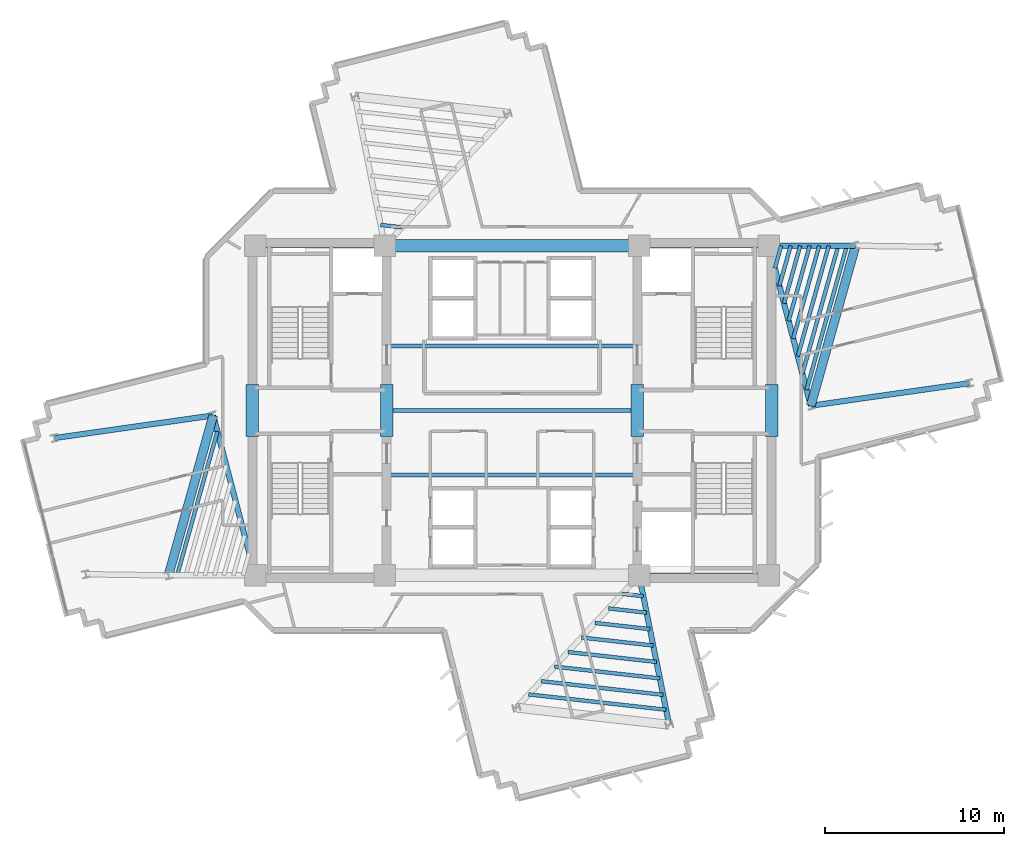
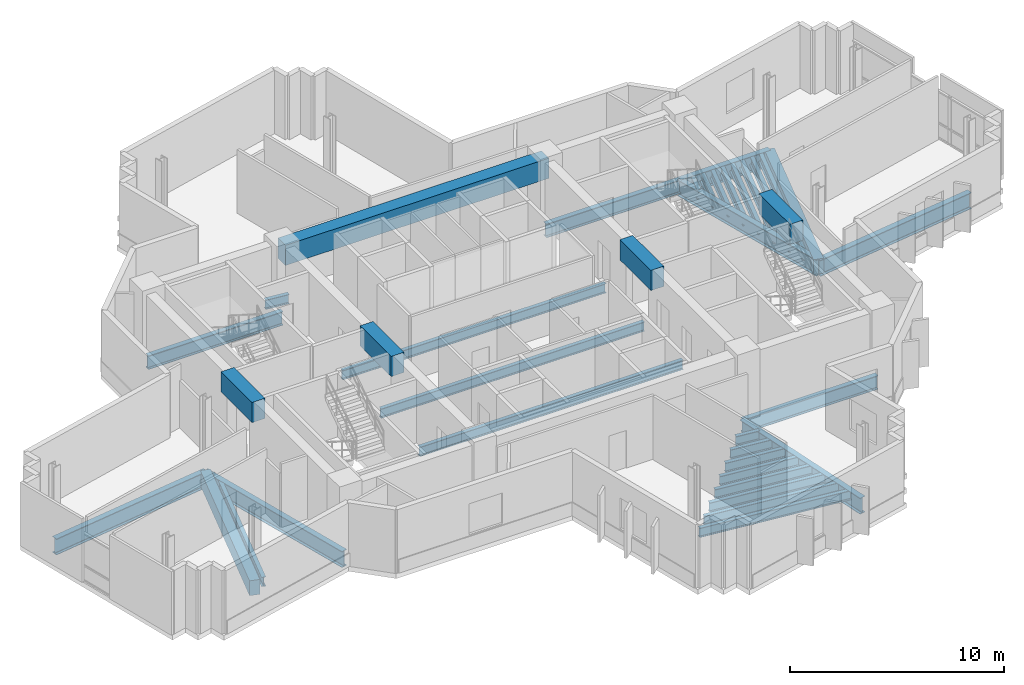
# One storey, part 3 of 13: 37 beams.
"""IFC4 building model written with IfcOpenShell, lengths in metres."""

from ifc_helpers import new_model, si_unit, direction, frame, origin, origin_2d, place, context, subcontext, project, spatial, rectangle, i_section, extrude, source, transform, mapped, material, material_profile, profile_set, type_object, element, save


model = new_model("IFC4")

# Units and contexts
model_context = context("Model", 3, precision=1e-05, world=origin(), true_north=direction((0.0, 1.0)))
body_context = subcontext(model_context, "Body", "Model", "MODEL_VIEW")
ifc_project = project(units=[si_unit("LENGTHUNIT", "METRE"), si_unit("AREAUNIT", "SQUARE_METRE"), si_unit("VOLUMEUNIT", "CUBIC_METRE"), si_unit("PLANEANGLEUNIT", "RADIAN"), si_unit("MASSUNIT", "GRAM", prefix="KILO")], contexts=[model_context])

# Site, building, storey
site_placement = place(None, origin())
site = spatial("IfcSite", under=ifc_project, at=site_placement, CompositionType="ELEMENT")
building_placement = place(site_placement, origin())
building = spatial("IfcBuilding", under=site, at=building_placement, Name="Zahravan Cultural Tower", CompositionType="ELEMENT")
storey_placement = place(building_placement, frame((0.0, 0.0, 186.300048828125)))
storey = spatial("IfcBuildingStorey", under=building, at=storey_placement, Name="L43", CompositionType="ELEMENT", Elevation=186.300048828125)

# Beams
ifc_material_1 = material(Name="Concrete C50/60", Category="concrete")
ifc_material_profile_1 = material_profile(ifc_material_1, rectangle(XDim=0.699951171875, YDim=1.14990234375, at=origin_2d()), Name="RC700X1150")
ifc_profile_set_1 = profile_set([ifc_material_profile_1], Name="Concrete C50/60")
beam_type_1 = type_object("IfcBeamType", Name="BM-LN-RC700X1150", PredefinedType="LINTEL", material=ifc_profile_set_1)
shared_shape_1 = source(origin(), body_context, "Body", "SweptSolid", [
    extrude(rectangle(XDim=0.699951171875, YDim=1.14990234375, at=origin_2d()), origin(), (0.0, 0.0, 1.0), 14.2001953125),
])
beam_1_placement = place(storey_placement, frame((28.89990234375, 36.199951171875, 3.044921875), z_axis=(1.0, 0.0, 0.0), x_axis=(0.0, 1.0, 0.0)))
element("IfcBeam", 1, at=beam_1_placement, inside=storey, type_object=beam_type_1, Name="L43 Beam LN-L43-N", PredefinedType="LINTEL", context=body_context, shape_type="MappedRepresentation", body=[
    mapped(shared_shape_1, transform((0.0, 0.0, 0.0), x_axis=(1.0, 0.0, 0.0), y_axis=(0.0, 1.0, 0.0), z_axis=(0.0, 0.0, 1.0), scale=1.0)),
])
shared_shape_2 = source(origin(), body_context, "Body", "SweptSolid", [
    extrude(rectangle(XDim=0.699951171875, YDim=1.14990234375, at=origin_2d()), origin(), (0.0, 0.0, 1.0), 2.89990234375),
])
for number, where, z_axis, x_axis, name in (
    (2, (21.5, 25.550048828125, 3.044921875), (0.0, 1.0, 0.0), (-1.0, 0.0, 0.0), "L43 Beam LN-L43-PWW"),
    (3, (29.0, 25.550048828125, 3.044921875), (0.0, 1.0, 0.0), (-1.0, 0.0, 0.0), "L43 Beam LN-L43-PWE"),
    (4, (43.0, 25.550048828125, 3.044921875), (0.0, 1.0, 0.0), (-1.0, 0.0, 0.0), "L43 Beam LN-L43-PEW"),
    (5, (50.5, 25.550048828125, 3.044921875), (0.0, 1.0, 0.0), (-1.0, 0.0, 0.0), "L43 Beam LN-L43-PEE"),
):
    element("IfcBeam", number, at=place(storey_placement, frame(where, z_axis=z_axis, x_axis=x_axis)), inside=storey, type_object=beam_type_1, Name=name, PredefinedType="LINTEL", context=body_context, shape_type="MappedRepresentation", body=[
        mapped(shared_shape_2, transform((0.0, 0.0, 0.0), x_axis=(1.0, 0.0, 0.0), y_axis=(0.0, 1.0, 0.0), z_axis=(0.0, 0.0, 1.0), scale=1.0)),
    ])
ifc_material_2 = material(Name="Steel ASTM A992 Grade 50", Category="steel")
ifc_material_profile_2 = material_profile(ifc_material_2, i_section(OverallWidth=0.26611328125, OverallDepth=0.780029296875, WebThickness=0.0166015625, FlangeThickness=0.030029296875, FilletRadius=0.01904296875, at=origin_2d()), Name="W30X148")
ifc_profile_set_2 = profile_set([ifc_material_profile_2], Name="Steel ASTM A992 Grade 50")
beam_type_2 = type_object("IfcBeamType", Name="BM-G-W30X148", PredefinedType="BEAM", material=ifc_profile_set_2)
shared_shape_3 = source(origin(), body_context, "Body", "SweptSolid", [
    extrude(i_section(OverallWidth=0.26611328125, OverallDepth=0.780029296875, WebThickness=0.0166015625, FlangeThickness=0.030029296875, FilletRadius=0.01904296875, at=origin_2d()), origin(), (0.0, 0.0, 1.0), 7.25),
])
for number, where, z_axis, x_axis, name in (
    (6, (21.64990234375, 36.199951171875, -0.670166015625), (1.0, 0.0, 0.0), (0.0, 1.0, 0.0), "L43 Beam BG-L43-02"),
    (7, (43.10009765625, 17.800048828125, -0.670166015625), (1.0, 0.0, 0.0), (0.0, 1.0, 0.0), "L43 Beam BG-L43-04"),
    (8, (43.10009765625, 36.199951171875, -0.670166015625), (1.0, 0.0, 0.0), (0.0, 1.0, 0.0), "L43 Beam BG-L43-05"),
):
    element("IfcBeam", number, at=place(storey_placement, frame(where, z_axis=z_axis, x_axis=x_axis)), inside=storey, type_object=beam_type_2, Name=name, PredefinedType="BEAM", context=body_context, shape_type="MappedRepresentation", body=[
        mapped(shared_shape_3, transform((0.0, 0.0, 0.0), x_axis=(1.0, 0.0, 0.0), y_axis=(0.0, 1.0, 0.0), z_axis=(0.0, 0.0, 1.0), scale=1.0)),
    ])
ifc_material_profile_3 = material_profile(ifc_material_2, i_section(OverallWidth=0.304931640625, OverallDepth=0.9189453125, WebThickness=0.017333984375, FlangeThickness=0.02783203125, FilletRadius=0.02392578125, at=origin_2d()), Name="W36X170")
ifc_profile_set_3 = profile_set([ifc_material_profile_3], Name="Steel ASTM A992 Grade 50")
beam_type_3 = type_object("IfcBeamType", Name="BM-G-W36X170", PredefinedType="BEAM", material=ifc_profile_set_3)
shared_shape_4 = source(origin(), body_context, "Body", "SweptSolid", [
    extrude(i_section(OverallWidth=0.304931640625, OverallDepth=0.9189453125, WebThickness=0.017333984375, FlangeThickness=0.02783203125, FilletRadius=0.02392578125, at=origin_2d()), origin(), (0.0, 0.0, 1.0), 9.22900390625),
])
for number, where, z_axis, x_axis, name in (
    (9, (21.64990234375, 17.800048828125, -0.739501953125), (-0.252922608408, 0.967486513682, 0.0), (-0.967486513682, -0.252922608408, 0.0), "L43 Beam BG-L43-07"),
    (10, (50.35009765625, 36.199951171875, -0.739501953125), (0.252922608408, -0.967486513682, 0.0), (0.967486513682, 0.252922608408, 0.0), "L43 Beam BG-L43-11"),
):
    element("IfcBeam", number, at=place(storey_placement, frame(where, z_axis=z_axis, x_axis=x_axis)), inside=storey, type_object=beam_type_3, Name=name, PredefinedType="BEAM", context=body_context, shape_type="MappedRepresentation", body=[
        mapped(shared_shape_4, transform((0.0, 0.0, 0.0), x_axis=(1.0, 0.0, 0.0), y_axis=(0.0, 1.0, 0.0), z_axis=(0.0, 0.0, 1.0), scale=1.0)),
    ])
shared_shape_5 = source(origin(), body_context, "Body", "SweptSolid", [
    extrude(i_section(OverallWidth=0.304931640625, OverallDepth=0.9189453125, WebThickness=0.017333984375, FlangeThickness=0.02783203125, FilletRadius=0.02392578125, at=origin_2d()), origin(), (0.0, 0.0, 1.0), 4.834716796875),
])
beam_2_placement = place(storey_placement, frame((50.35009765625, 36.199951171875, -0.739501953125), z_axis=(0.99999920313, 0.001262433979, 0.0), x_axis=(-0.001262433979, 0.99999920313, 0.0)))
element("IfcBeam", 11, at=beam_2_placement, inside=storey, type_object=beam_type_3, Name="L43 Beam BG-L43-12", PredefinedType="BEAM", context=body_context, shape_type="MappedRepresentation", body=[
    mapped(shared_shape_5, transform((0.0, 0.0, 0.0), x_axis=(1.0, 0.0, 0.0), y_axis=(0.0, 1.0, 0.0), z_axis=(0.0, 0.0, 1.0), scale=1.0)),
])
shared_shape_6 = source(origin(), body_context, "Body", "SweptSolid", [
    extrude(i_section(OverallWidth=0.304931640625, OverallDepth=0.9189453125, WebThickness=0.017333984375, FlangeThickness=0.02783203125, FilletRadius=0.02392578125, at=origin_2d()), origin(), (0.0, 0.0, 1.0), 8.50732421875),
])
beam_3_placement = place(storey_placement, frame((43.10009765625, 17.800048828125, -0.739501953125), z_axis=(0.196524514012, -0.980498911469, 0.0), x_axis=(0.980498911469, 0.196524514012, 0.0)))
element("IfcBeam", 12, at=beam_3_placement, inside=storey, type_object=beam_type_3, Name="L43 Beam BG-L43-10", PredefinedType="BEAM", context=body_context, shape_type="MappedRepresentation", body=[
    mapped(shared_shape_6, transform((0.0, 0.0, 0.0), x_axis=(1.0, 0.0, 0.0), y_axis=(0.0, 1.0, 0.0), z_axis=(0.0, 0.0, 1.0), scale=1.0)),
])
shared_shape_7 = source(origin(), body_context, "Body", "SweptSolid", [
    extrude(i_section(OverallWidth=0.304931640625, OverallDepth=0.9189453125, WebThickness=0.017333984375, FlangeThickness=0.02783203125, FilletRadius=0.02392578125, at=origin_2d()), origin(), (0.0, 0.0, 1.0), 8.9580078125),
])
for number, where, z_axis, x_axis, name in (
    (13, (52.684326171875, 27.27099609375, -0.739501953125), (0.990000122431, 0.141066500584, 0.0), (-0.141066500584, 0.990000122431, 0.0), "L43 Beam BG-L43-15"),
    (14, (19.315673828125, 26.72900390625, -0.739501953125), (-0.990000122431, -0.141066500584, 0.0), (0.141066500584, -0.990000122431, 0.0), "L43 Beam BG-L43-17"),
):
    element("IfcBeam", number, at=place(storey_placement, frame(where, z_axis=z_axis, x_axis=x_axis)), inside=storey, type_object=beam_type_3, Name=name, PredefinedType="BEAM", context=body_context, shape_type="MappedRepresentation", body=[
        mapped(shared_shape_7, transform((0.0, 0.0, 0.0), x_axis=(1.0, 0.0, 0.0), y_axis=(0.0, 1.0, 0.0), z_axis=(0.0, 0.0, 1.0), scale=1.0)),
    ])
ifc_material_profile_4 = material_profile(ifc_material_1, rectangle(XDim=0.5, YDim=0.85009765625, at=origin_2d()), Name="RC500X850")
ifc_profile_set_4 = profile_set([ifc_material_profile_4], Name="Concrete C50/60")
beam_type_4 = type_object("IfcBeamType", Name="BM-SP-RC500X850", PredefinedType="SPANDREL", material=ifc_profile_set_4)
shared_shape_8 = source(origin(), body_context, "Body", "SweptSolid", [
    extrude(rectangle(XDim=0.5, YDim=0.85009765625, at=origin_2d()), origin(), (0.0, 0.0, 1.0), 9.2783203125),
])
for number, where, z_axis, x_axis, name in (
    (15, (19.315673828125, 26.72900390625, -0.705078125), (-0.269497187032, -0.963001176625, 0.0), (0.963001176625, -0.269497187032, 0.0), "L43 Beam SP-L43-19"),
    (16, (52.684326171875, 27.27099609375, -0.705078125), (0.269497187032, 0.963001176625, 0.0), (-0.963001176625, 0.269497187032, 0.0), "L43 Beam SP-L43-21"),
):
    element("IfcBeam", number, at=place(storey_placement, frame(where, z_axis=z_axis, x_axis=x_axis)), inside=storey, type_object=beam_type_4, Name=name, PredefinedType="SPANDREL", context=body_context, shape_type="MappedRepresentation", body=[
        mapped(shared_shape_8, transform((0.0, 0.0, 0.0), x_axis=(1.0, 0.0, 0.0), y_axis=(0.0, 1.0, 0.0), z_axis=(0.0, 0.0, 1.0), scale=1.0)),
    ])
ifc_material_profile_5 = material_profile(ifc_material_2, i_section(OverallWidth=0.2099609375, OverallDepth=0.532958984375, WebThickness=0.01025390625, FlangeThickness=0.015625, FilletRadius=0.013916015625, at=origin_2d()), Name="W21X62")
ifc_profile_set_5 = profile_set([ifc_material_profile_5], Name="Steel ASTM A992 Grade 50")
beam_type_5 = type_object("IfcBeamType", Name="BM-J-W21X62", PredefinedType="JOIST", material=ifc_profile_set_5)
shared_shape_9 = source(origin(), body_context, "Body", "SweptSolid", [
    extrude(i_section(OverallWidth=0.2099609375, OverallDepth=0.532958984375, WebThickness=0.01025390625, FlangeThickness=0.015625, FilletRadius=0.013916015625, at=origin_2d()), origin(), (0.0, 0.0, 1.0), 14.2001953125),
])
for number, where, z_axis, x_axis, name in (
    (17, (28.89990234375, 23.39990234375, -0.546630859375), (1.0, 0.0, 0.0), (0.0, 1.0, 0.0), "L43 Beam BJ-L43-23"),
    (18, (28.89990234375, 27.0, -0.546630859375), (1.0, 0.0, 0.0), (0.0, 1.0, 0.0), "L43 Beam BJ-L43-24"),
    (19, (28.89990234375, 30.60009765625, -0.546630859375), (1.0, 0.0, 0.0), (0.0, 1.0, 0.0), "L43 Beam BJ-L43-25"),
):
    element("IfcBeam", number, at=place(storey_placement, frame(where, z_axis=z_axis, x_axis=x_axis)), inside=storey, type_object=beam_type_5, Name=name, PredefinedType="JOIST", context=body_context, shape_type="MappedRepresentation", body=[
        mapped(shared_shape_9, transform((0.0, 0.0, 0.0), x_axis=(1.0, 0.0, 0.0), y_axis=(0.0, 1.0, 0.0), z_axis=(0.0, 0.0, 1.0), scale=1.0)),
    ])
shared_shape_10 = source(origin(), body_context, "Body", "SweptSolid", [
    extrude(i_section(OverallWidth=0.2099609375, OverallDepth=0.532958984375, WebThickness=0.01025390625, FlangeThickness=0.015625, FilletRadius=0.013916015625, at=origin_2d()), origin(), (0.0, 0.0, 1.0), 1.299072265625),
])
beam_4_placement = place(storey_placement, frame((50.6767578125, 34.949951171875, -0.546630859375), z_axis=(0.269504444708, 0.962999145525, 0.0), x_axis=(-0.962999145525, 0.269504444708, 0.0)))
element("IfcBeam", 20, at=beam_4_placement, inside=storey, type_object=beam_type_5, Name="L43 Beam BJ-L43-42", PredefinedType="JOIST", context=body_context, shape_type="MappedRepresentation", body=[
    mapped(shared_shape_10, transform((0.0, 0.0, 0.0), x_axis=(1.0, 0.0, 0.0), y_axis=(0.0, 1.0, 0.0), z_axis=(0.0, 0.0, 1.0), scale=1.0)),
])
shared_shape_11 = source(origin(), body_context, "Body", "SweptSolid", [
    extrude(i_section(OverallWidth=0.2099609375, OverallDepth=0.532958984375, WebThickness=0.01025390625, FlangeThickness=0.015625, FilletRadius=0.013916015625, at=origin_2d()), origin(), (0.0, 0.0, 1.0), 2.3193359375),
])
beam_5_placement = place(storey_placement, frame((50.93359375, 33.9677734375, -0.546630859375), z_axis=(0.269462038626, 0.963011012263, 0.0), x_axis=(-0.963011012263, 0.269462038626, 0.0)))
element("IfcBeam", 21, at=beam_5_placement, inside=storey, type_object=beam_type_5, Name="L43 Beam BJ-L43-43", PredefinedType="JOIST", context=body_context, shape_type="MappedRepresentation", body=[
    mapped(shared_shape_11, transform((0.0, 0.0, 0.0), x_axis=(1.0, 0.0, 0.0), y_axis=(0.0, 1.0, 0.0), z_axis=(0.0, 0.0, 1.0), scale=1.0)),
])
shared_shape_12 = source(origin(), body_context, "Body", "SweptSolid", [
    extrude(i_section(OverallWidth=0.2099609375, OverallDepth=0.532958984375, WebThickness=0.01025390625, FlangeThickness=0.015625, FilletRadius=0.013916015625, at=origin_2d()), origin(), (0.0, 0.0, 1.0), 3.340087890625),
])
beam_6_placement = place(storey_placement, frame((51.190185546875, 32.985595703125, -0.546630859375), z_axis=(0.269562146951, 0.962982995141, 0.0), x_axis=(-0.962982995141, 0.269562146951, 0.0)))
element("IfcBeam", 22, at=beam_6_placement, inside=storey, type_object=beam_type_5, Name="L43 Beam BJ-L43-44", PredefinedType="JOIST", context=body_context, shape_type="MappedRepresentation", body=[
    mapped(shared_shape_12, transform((0.0, 0.0, 0.0), x_axis=(1.0, 0.0, 0.0), y_axis=(0.0, 1.0, 0.0), z_axis=(0.0, 0.0, 1.0), scale=1.0)),
])
shared_shape_13 = source(origin(), body_context, "Body", "SweptSolid", [
    extrude(i_section(OverallWidth=0.2099609375, OverallDepth=0.532958984375, WebThickness=0.01025390625, FlangeThickness=0.015625, FilletRadius=0.013916015625, at=origin_2d()), origin(), (0.0, 0.0, 1.0), 4.36083984375),
])
beam_7_placement = place(storey_placement, frame((51.447021484375, 32.00341796875, -0.546630859375), z_axis=(0.269511557673, 0.962997154866, 0.0), x_axis=(-0.962997154866, 0.269511557673, 0.0)))
element("IfcBeam", 23, at=beam_7_placement, inside=storey, type_object=beam_type_5, Name="L43 Beam BJ-L43-45", PredefinedType="JOIST", context=body_context, shape_type="MappedRepresentation", body=[
    mapped(shared_shape_13, transform((0.0, 0.0, 0.0), x_axis=(1.0, 0.0, 0.0), y_axis=(0.0, 1.0, 0.0), z_axis=(0.0, 0.0, 1.0), scale=1.0)),
])
shared_shape_14 = source(origin(), body_context, "Body", "SweptSolid", [
    extrude(i_section(OverallWidth=0.2099609375, OverallDepth=0.532958984375, WebThickness=0.01025390625, FlangeThickness=0.015625, FilletRadius=0.013916015625, at=origin_2d()), origin(), (0.0, 0.0, 1.0), 5.3818359375),
])
beam_8_placement = place(storey_placement, frame((51.703857421875, 31.02099609375, -0.546630859375), z_axis=(0.269510454638, 0.962997463569, 0.0), x_axis=(-0.962997463569, 0.269510454638, 0.0)))
element("IfcBeam", 24, at=beam_8_placement, inside=storey, type_object=beam_type_5, Name="L43 Beam BJ-L43-46", PredefinedType="JOIST", context=body_context, shape_type="MappedRepresentation", body=[
    mapped(shared_shape_14, transform((0.0, 0.0, 0.0), x_axis=(1.0, 0.0, 0.0), y_axis=(0.0, 1.0, 0.0), z_axis=(0.0, 0.0, 1.0), scale=1.0)),
])
shared_shape_15 = source(origin(), body_context, "Body", "SweptSolid", [
    extrude(i_section(OverallWidth=0.2099609375, OverallDepth=0.532958984375, WebThickness=0.01025390625, FlangeThickness=0.015625, FilletRadius=0.013916015625, at=origin_2d()), origin(), (0.0, 0.0, 1.0), 6.402099609375),
])
beam_9_placement = place(storey_placement, frame((51.960693359375, 30.038818359375, -0.546630859375), z_axis=(0.269494133533, 0.963002031146, 0.0), x_axis=(-0.963002031146, 0.269494133533, 0.0)))
element("IfcBeam", 25, at=beam_9_placement, inside=storey, type_object=beam_type_5, Name="L43 Beam BJ-L43-47", PredefinedType="JOIST", context=body_context, shape_type="MappedRepresentation", body=[
    mapped(shared_shape_15, transform((0.0, 0.0, 0.0), x_axis=(1.0, 0.0, 0.0), y_axis=(0.0, 1.0, 0.0), z_axis=(0.0, 0.0, 1.0), scale=1.0)),
])
shared_shape_16 = source(origin(), body_context, "Body", "SweptSolid", [
    extrude(i_section(OverallWidth=0.2099609375, OverallDepth=0.532958984375, WebThickness=0.01025390625, FlangeThickness=0.015625, FilletRadius=0.013916015625, at=origin_2d()), origin(), (0.0, 0.0, 1.0), 7.4228515625),
])
beam_10_placement = place(storey_placement, frame((52.21728515625, 29.056640625, -0.546630859375), z_axis=(0.269504266128, 0.962999195503, 0.0), x_axis=(-0.962999195503, 0.269504266128, 0.0)))
element("IfcBeam", 26, at=beam_10_placement, inside=storey, type_object=beam_type_5, Name="L43 Beam BJ-L43-48", PredefinedType="JOIST", context=body_context, shape_type="MappedRepresentation", body=[
    mapped(shared_shape_16, transform((0.0, 0.0, 0.0), x_axis=(1.0, 0.0, 0.0), y_axis=(0.0, 1.0, 0.0), z_axis=(0.0, 0.0, 1.0), scale=1.0)),
])
shared_shape_17 = source(origin(), body_context, "Body", "SweptSolid", [
    extrude(i_section(OverallWidth=0.2099609375, OverallDepth=0.532958984375, WebThickness=0.01025390625, FlangeThickness=0.015625, FilletRadius=0.013916015625, at=origin_2d()), origin(), (0.0, 0.0, 1.0), 8.350830078125),
])
for number, where, z_axis, x_axis, name in (
    (27, (19.549072265625, 25.836181640625, -0.546630859375), (-0.269496539555, -0.963001357822, 0.0), (0.963001357822, -0.269496539555, 0.0), "L43 Beam BJ-L43-33"),
    (28, (52.450927734375, 28.163818359375, -0.546630859375), (0.269496539555, 0.963001357822, 0.0), (-0.963001357822, 0.269496539555, 0.0), "L43 Beam BJ-L43-49"),
):
    element("IfcBeam", number, at=place(storey_placement, frame(where, z_axis=z_axis, x_axis=x_axis)), inside=storey, type_object=beam_type_5, Name=name, PredefinedType="JOIST", context=body_context, shape_type="MappedRepresentation", body=[
        mapped(shared_shape_17, transform((0.0, 0.0, 0.0), x_axis=(1.0, 0.0, 0.0), y_axis=(0.0, 1.0, 0.0), z_axis=(0.0, 0.0, 1.0), scale=1.0)),
    ])
shared_shape_18 = source(origin(), body_context, "Body", "SweptSolid", [
    extrude(i_section(OverallWidth=0.2099609375, OverallDepth=0.532958984375, WebThickness=0.01025390625, FlangeThickness=0.015625, FilletRadius=0.013916015625, at=origin_2d()), origin(), (0.0, 0.0, 1.0), 1.201171875),
])
for number, where, z_axis, x_axis, name in (
    (29, (42.140380859375, 16.765625, -0.546630859375), (0.99379916149, -0.111190047317, 0.0), (0.111190047317, 0.99379916149, 0.0), "L43 Beam BJ-L43-34"),
    (30, (29.859619140625, 37.234375, -0.546630859375), (-0.99379916149, 0.111190047317, 0.0), (-0.111190047317, -0.99379916149, 0.0), "L43 Beam BJ-L43-50"),
):
    element("IfcBeam", number, at=place(storey_placement, frame(where, z_axis=z_axis, x_axis=x_axis)), inside=storey, type_object=beam_type_5, Name=name, PredefinedType="JOIST", context=body_context, shape_type="MappedRepresentation", body=[
        mapped(shared_shape_18, transform((0.0, 0.0, 0.0), x_axis=(1.0, 0.0, 0.0), y_axis=(0.0, 1.0, 0.0), z_axis=(0.0, 0.0, 1.0), scale=1.0)),
    ])
shared_shape_19 = source(origin(), body_context, "Body", "SweptSolid", [
    extrude(i_section(OverallWidth=0.2099609375, OverallDepth=0.532958984375, WebThickness=0.01025390625, FlangeThickness=0.015625, FilletRadius=0.013916015625, at=origin_2d()), origin(), (0.0, 0.0, 1.0), 2.144775390625),
])
beam_11_placement = place(storey_placement, frame((41.386474609375, 15.953125, -0.546630859375), z_axis=(0.993797370806, -0.111206051, 0.0), x_axis=(0.111206051, 0.993797370806, 0.0)))
element("IfcBeam", 31, at=beam_11_placement, inside=storey, type_object=beam_type_5, Name="L43 Beam BJ-L43-35", PredefinedType="JOIST", context=body_context, shape_type="MappedRepresentation", body=[
    mapped(shared_shape_19, transform((0.0, 0.0, 0.0), x_axis=(1.0, 0.0, 0.0), y_axis=(0.0, 1.0, 0.0), z_axis=(0.0, 0.0, 1.0), scale=1.0)),
])
shared_shape_20 = source(origin(), body_context, "Body", "SweptSolid", [
    extrude(i_section(OverallWidth=0.2099609375, OverallDepth=0.532958984375, WebThickness=0.01025390625, FlangeThickness=0.015625, FilletRadius=0.013916015625, at=origin_2d()), origin(), (0.0, 0.0, 1.0), 3.088623046875),
])
beam_12_placement = place(storey_placement, frame((40.63232421875, 15.140380859375, -0.546630859375), z_axis=(0.993805407368, -0.111134208443, 0.0), x_axis=(0.111134208443, 0.993805407368, 0.0)))
element("IfcBeam", 32, at=beam_12_placement, inside=storey, type_object=beam_type_5, Name="L43 Beam BJ-L43-36", PredefinedType="JOIST", context=body_context, shape_type="MappedRepresentation", body=[
    mapped(shared_shape_20, transform((0.0, 0.0, 0.0), x_axis=(1.0, 0.0, 0.0), y_axis=(0.0, 1.0, 0.0), z_axis=(0.0, 0.0, 1.0), scale=1.0)),
])
shared_shape_21 = source(origin(), body_context, "Body", "SweptSolid", [
    extrude(i_section(OverallWidth=0.2099609375, OverallDepth=0.532958984375, WebThickness=0.01025390625, FlangeThickness=0.015625, FilletRadius=0.013916015625, at=origin_2d()), origin(), (0.0, 0.0, 1.0), 4.0322265625),
])
beam_13_placement = place(storey_placement, frame((39.87841796875, 14.327880859375, -0.546630859375), z_axis=(0.993802245601, -0.11116247855, 0.0), x_axis=(0.11116247855, 0.993802245601, 0.0)))
element("IfcBeam", 33, at=beam_13_placement, inside=storey, type_object=beam_type_5, Name="L43 Beam BJ-L43-37", PredefinedType="JOIST", context=body_context, shape_type="MappedRepresentation", body=[
    mapped(shared_shape_21, transform((0.0, 0.0, 0.0), x_axis=(1.0, 0.0, 0.0), y_axis=(0.0, 1.0, 0.0), z_axis=(0.0, 0.0, 1.0), scale=1.0)),
])
shared_shape_22 = source(origin(), body_context, "Body", "SweptSolid", [
    extrude(i_section(OverallWidth=0.2099609375, OverallDepth=0.532958984375, WebThickness=0.01025390625, FlangeThickness=0.015625, FilletRadius=0.013916015625, at=origin_2d()), origin(), (0.0, 0.0, 1.0), 4.97607421875),
])
beam_14_placement = place(storey_placement, frame((39.124267578125, 13.51513671875, -0.546630859375), z_axis=(0.993806308517, -0.111126149723, 0.0), x_axis=(0.111126149723, 0.993806308517, 0.0)))
element("IfcBeam", 34, at=beam_14_placement, inside=storey, type_object=beam_type_5, Name="L43 Beam BJ-L43-38", PredefinedType="JOIST", context=body_context, shape_type="MappedRepresentation", body=[
    mapped(shared_shape_22, transform((0.0, 0.0, 0.0), x_axis=(1.0, 0.0, 0.0), y_axis=(0.0, 1.0, 0.0), z_axis=(0.0, 0.0, 1.0), scale=1.0)),
])
shared_shape_23 = source(origin(), body_context, "Body", "SweptSolid", [
    extrude(i_section(OverallWidth=0.2099609375, OverallDepth=0.532958984375, WebThickness=0.01025390625, FlangeThickness=0.015625, FilletRadius=0.013916015625, at=origin_2d()), origin(), (0.0, 0.0, 1.0), 5.919921875),
])
beam_15_placement = place(storey_placement, frame((38.370361328125, 12.70263671875, -0.546630859375), z_axis=(0.993804520866, -0.111142135602, 0.0), x_axis=(0.111142135602, 0.993804520866, 0.0)))
element("IfcBeam", 35, at=beam_15_placement, inside=storey, type_object=beam_type_5, Name="L43 Beam BJ-L43-39", PredefinedType="JOIST", context=body_context, shape_type="MappedRepresentation", body=[
    mapped(shared_shape_23, transform((0.0, 0.0, 0.0), x_axis=(1.0, 0.0, 0.0), y_axis=(0.0, 1.0, 0.0), z_axis=(0.0, 0.0, 1.0), scale=1.0)),
])
shared_shape_24 = source(origin(), body_context, "Body", "SweptSolid", [
    extrude(i_section(OverallWidth=0.2099609375, OverallDepth=0.532958984375, WebThickness=0.01025390625, FlangeThickness=0.015625, FilletRadius=0.013916015625, at=origin_2d()), origin(), (0.0, 0.0, 1.0), 6.86376953125),
])
beam_16_placement = place(storey_placement, frame((37.6162109375, 11.889892578125, -0.546630859375), z_axis=(0.993803224695, -0.111153725024, 0.0), x_axis=(0.111153725024, 0.993803224695, 0.0)))
element("IfcBeam", 36, at=beam_16_placement, inside=storey, type_object=beam_type_5, Name="L43 Beam BJ-L43-40", PredefinedType="JOIST", context=body_context, shape_type="MappedRepresentation", body=[
    mapped(shared_shape_24, transform((0.0, 0.0, 0.0), x_axis=(1.0, 0.0, 0.0), y_axis=(0.0, 1.0, 0.0), z_axis=(0.0, 0.0, 1.0), scale=1.0)),
])
shared_shape_25 = source(origin(), body_context, "Body", "SweptSolid", [
    extrude(i_section(OverallWidth=0.2099609375, OverallDepth=0.532958984375, WebThickness=0.01025390625, FlangeThickness=0.015625, FilletRadius=0.013916015625, at=origin_2d()), origin(), (0.0, 0.0, 1.0), 7.7216796875),
])
beam_17_placement = place(storey_placement, frame((36.930908203125, 11.151123046875, -0.546630859375), z_axis=(0.993805212115, -0.11113595446, 0.0), x_axis=(0.11113595446, 0.993805212115, 0.0)))
element("IfcBeam", 37, at=beam_17_placement, inside=storey, type_object=beam_type_5, Name="L43 Beam BJ-L43-41", PredefinedType="JOIST", context=body_context, shape_type="MappedRepresentation", body=[
    mapped(shared_shape_25, transform((0.0, 0.0, 0.0), x_axis=(1.0, 0.0, 0.0), y_axis=(0.0, 1.0, 0.0), z_axis=(0.0, 0.0, 1.0), scale=1.0)),
])

save(model, "model.ifc")
